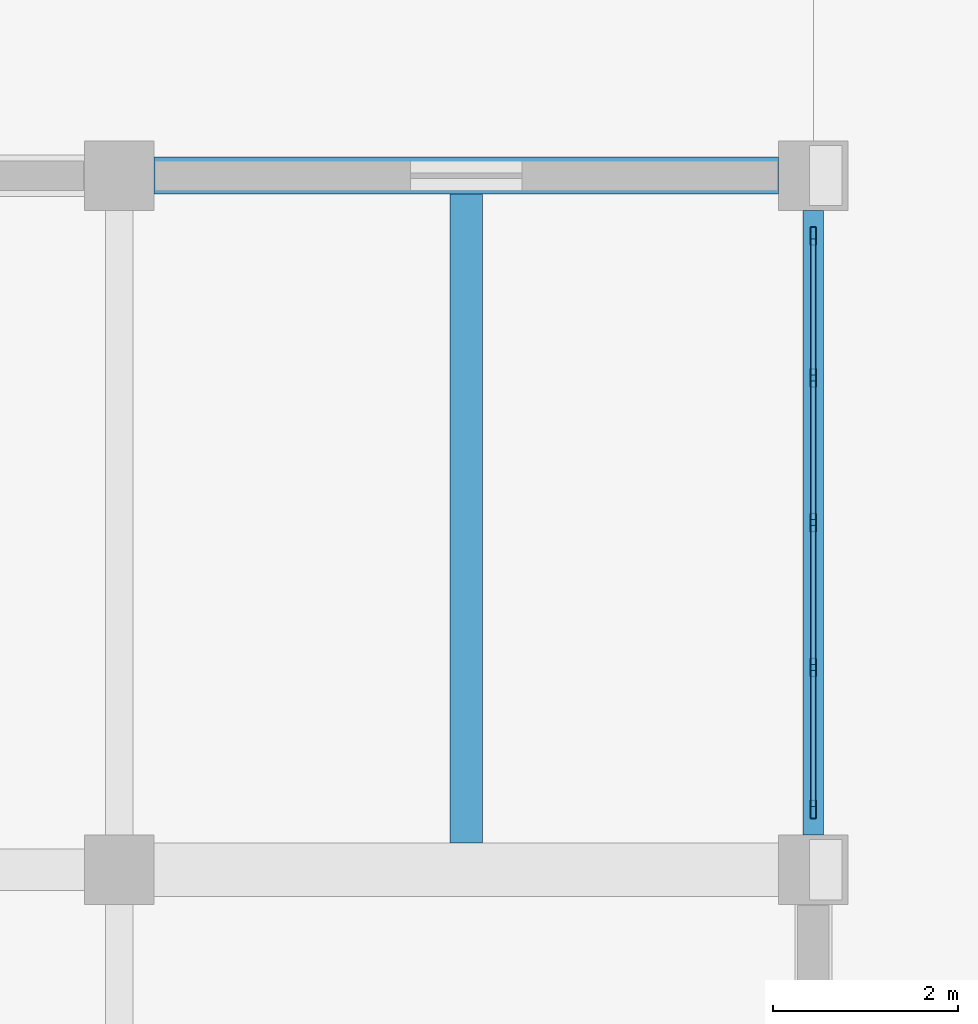
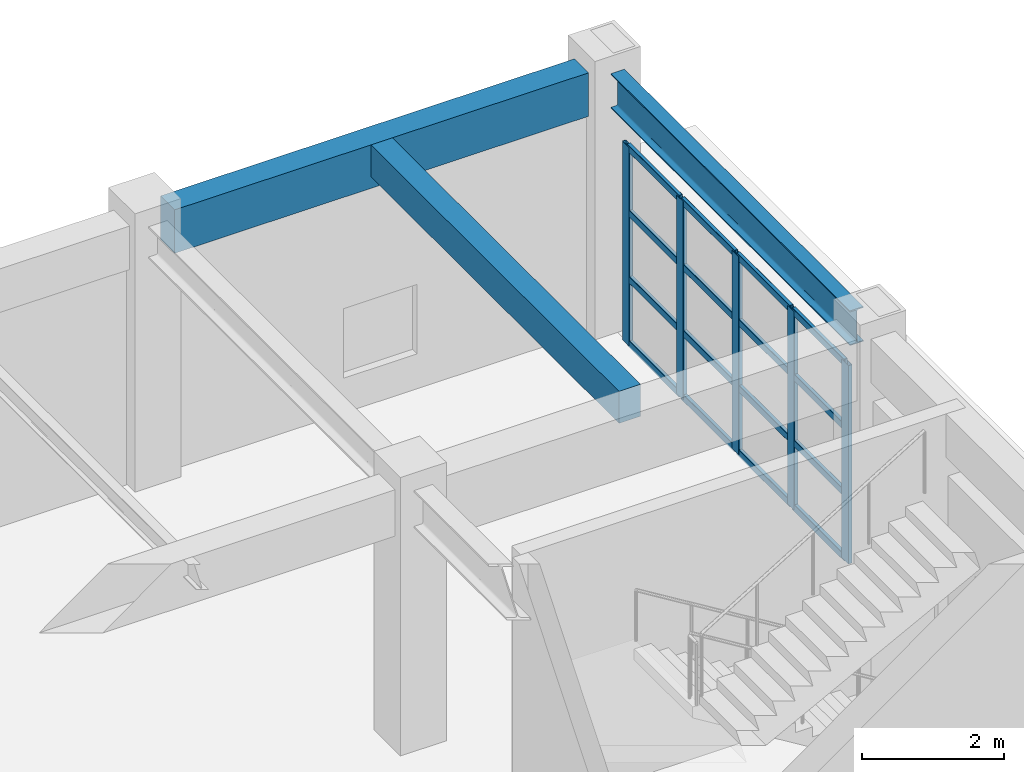
# One storey, part 70 of 122: 21 members, 3 beams, 1 element without a shape of its own.
"""IFC4 building model written with IfcOpenShell, lengths in metres."""

import ifcopenshell
import ifcopenshell.guid

model = None  # the IFC model being written
_history = None  # IfcOwnerHistory: only IFC2X3 demands one
_inside = {}  # id of a spatial element -> (the spatial element, [elements in it])
_under = {}  # id of a project, library or spatial element -> (it, [spatial elements below it])
_declared = {}  # id of a project -> (the project, [libraries it declares])
_typed = {}  # id of a type object -> (the type object, [elements of that type])
_made_of = {}  # id of a material, layer set ... -> (it, [elements and type objects made of it])


def new_model(schema):
    """Start an empty IFC model of exactly this schema.

    Asked for "IFC4X3", IfcOpenShell would pick the latest addendum, in which some entities
    have other attributes; the version numbers below select the first issue.
    IFC2X3 requires an IfcOwnerHistory on every rooted entity: one is made here for all.
    """
    global model, _history
    if schema == "IFC4X3":
        model = ifcopenshell.file(schema_version=(4, 3, 0, 0))
    else:
        model = ifcopenshell.file(schema=schema)
    _inside.clear()
    _under.clear()
    _declared.clear()
    _typed.clear()
    _made_of.clear()
    _history = None
    if model.schema == "IFC2X3":
        org = make("IfcOrganization", Name="unknown")
        user = make(
            "IfcPersonAndOrganization",
            ThePerson=make("IfcPerson", FamilyName="unknown"),
            TheOrganization=org,
        )
        app = make(
            "IfcApplication",
            ApplicationDeveloper=org,
            Version="unknown",
            ApplicationFullName="unknown",
            ApplicationIdentifier="unknown",
        )
        _history = make(
            "IfcOwnerHistory",
            OwningUser=user,
            OwningApplication=app,
            ChangeAction="ADDED",
            CreationDate=0,
        )
    return model


def make(cls, **values):
    """One entity of the class cls with the attributes given. An attribute that is None is left unset."""
    return model.create_entity(
        cls, **{name: value for name, value in values.items() if value is not None}
    )


def rooted(cls, **values):
    """An entity with a GlobalId (a new one), such as an element, a storey or a relation."""
    return make(cls, GlobalId=ifcopenshell.guid.new(), OwnerHistory=_history, **values)


def si_unit(unit_type, name, prefix=None):
    """IfcSIUnit, for example si_unit("LENGTHUNIT", "METRE", prefix="MILLI")."""
    return make("IfcSIUnit", UnitType=unit_type, Prefix=prefix, Name=name)


def assignment(units):
    """IfcUnitAssignment: the units of a project."""
    return None if units is None else make("IfcUnitAssignment", Units=units)


def point(xyz):
    """IfcCartesianPoint."""
    return None if xyz is None else make("IfcCartesianPoint", Coordinates=xyz)


def direction(xyz):
    """IfcDirection."""
    return None if xyz is None else make("IfcDirection", DirectionRatios=xyz)


def frame(location, z_axis=None, x_axis=None):
    """IfcAxis2Placement3D, a coordinate frame: its origin and axes. An axis left out is left unset."""
    return make(
        "IfcAxis2Placement3D",
        Location=point(location),
        Axis=direction(z_axis),
        RefDirection=direction(x_axis),
    )


def frame_2d(location, x_axis=None):
    """IfcAxis2Placement2D, a coordinate frame in the plane: its origin and x axis."""
    return make(
        "IfcAxis2Placement2D", Location=point(location), RefDirection=direction(x_axis)
    )


def origin():
    """The frame at (0, 0, 0) with its axes left unset."""
    return frame((0.0, 0.0, 0.0))


def origin_2d():
    """The frame at (0, 0) in the plane with its x axis left unset."""
    return frame_2d((0.0, 0.0))


def place(relative_to, where):
    """IfcLocalPlacement: puts the frame where relative to a parent placement (None: the world)."""
    return make(
        "IfcLocalPlacement", PlacementRelTo=relative_to, RelativePlacement=where
    )


def context(
    kind, dimensions, precision=None, world=None, true_north=None, identifier=None
):
    """IfcGeometricRepresentationContext, for example the 3D "Model" context."""
    return make(
        "IfcGeometricRepresentationContext",
        ContextIdentifier=identifier,
        ContextType=kind,
        CoordinateSpaceDimension=dimensions,
        Precision=precision,
        WorldCoordinateSystem=world,
        TrueNorth=true_north,
    )


def subcontext(parent, identifier, kind, view, scale=None):
    """IfcGeometricRepresentationSubContext, for example "Body" below "Model"."""
    return make(
        "IfcGeometricRepresentationSubContext",
        ContextIdentifier=identifier,
        ContextType=kind,
        ParentContext=parent,
        TargetScale=scale,
        TargetView=view,
    )


def project(units=None, contexts=None):
    """IfcProject with its units and contexts."""
    return rooted(
        "IfcProject",
        Name="project",
        RepresentationContexts=contexts,
        UnitsInContext=assignment(units),
    )


def spatial(cls, under=None, at=None, **own):
    """A site, building, storey or space (cls), placed at a placement, below another one or the project."""
    s = rooted(cls, ObjectPlacement=at, **own)
    if under is not None:
        _under.setdefault(under.id(), (under, []))[1].append(s)
    return s


def profile(cls, at=None, kind="AREA", **sizes):
    """A parametric profile (cls). Its sizes go by their IFC names, for example OverallWidth=200.0."""
    return make(cls, ProfileType=kind, Position=at, **sizes)


def rectangle(**sizes):
    """IfcRectangleProfileDef."""
    return profile("IfcRectangleProfileDef", **sizes)


def hollow_rectangle(**sizes):
    """IfcRectangleHollowProfileDef."""
    return profile("IfcRectangleHollowProfileDef", **sizes)


def i_section(**sizes):
    """IfcIShapeProfileDef."""
    return profile("IfcIShapeProfileDef", **sizes)


def extrude(swept, where, along, depth):
    """IfcExtrudedAreaSolid: the profile swept, set in the frame where, extruded along a direction by depth."""
    return make(
        "IfcExtrudedAreaSolid",
        SweptArea=swept,
        Position=where,
        ExtrudedDirection=direction(along),
        Depth=depth,
    )


def shape(context_of_items, identifier, shape_type, items):
    """IfcShapeRepresentation: the items that make up one representation, for example the "Body"."""
    return make(
        "IfcShapeRepresentation",
        ContextOfItems=context_of_items,
        RepresentationIdentifier=identifier,
        RepresentationType=shape_type,
        Items=items,
    )


def material(Name=None, Category=None):
    """IfcMaterial."""
    return make("IfcMaterial", Name=Name, Category=Category)


def material_profile(
    of_material, cross_section, Name=None, Category=None, Priority=None
):
    """IfcMaterialProfile: a cross section and its material."""
    return make(
        "IfcMaterialProfile",
        Name=Name,
        Material=of_material,
        Profile=cross_section,
        Priority=Priority,
        Category=Category,
    )


def profile_set(profiles, Name=None, composite=None):
    """IfcMaterialProfileSet."""
    return make(
        "IfcMaterialProfileSet",
        Name=Name,
        MaterialProfiles=profiles,
        CompositeProfile=composite,
    )


def made_of(thing, what):
    """Note that an element or type object is made of a material, layer set ...; save() writes the relation."""
    if what is not None:
        _made_of.setdefault(what.id(), (what, []))[1].append(thing)
    return thing


def type_object(cls, material=None, **own):
    """A type object (cls), such as IfcWallType, which elements share."""
    return made_of(rooted(cls, **own), material)


def element(
    cls,
    number,
    at=None,
    inside=None,
    cuts=None,
    type_object=None,
    material=None,
    context=None,
    identifier="Body",
    shape_type=None,
    held_by="IfcProductDefinitionShape",
    body=None,
    shapes=None,
    **own,
):
    """One element of the class cls, such as IfcWall. Its Tag is "e" and its number.

    at: its placement. inside: the storey or other place that contains it. cuts: it is an
    opening in that element (IfcRelVoidsElement). A single representation is given by context,
    identifier, shape_type and body (its items); several are given by shapes. held_by: the class
    of the entity that holds the representations. save() writes the other relations.
    """
    e = rooted(cls, Tag="e%d" % number, ObjectPlacement=at, **own)
    if body is not None:
        shapes = [shape(context, identifier, shape_type, body)]
    if shapes is not None:
        e.Representation = make(held_by, Representations=shapes)
    if inside is not None:
        _inside.setdefault(inside.id(), (inside, []))[1].append(e)
    if cuts is not None:
        rooted(
            "IfcRelVoidsElement", RelatingBuildingElement=cuts, RelatedOpeningElement=e
        )
    if type_object is not None:
        _typed.setdefault(type_object.id(), (type_object, []))[1].append(e)
    return made_of(e, material)


def aggregate(whole, parts):
    """IfcRelAggregates: a whole, such as a stair, and the parts it consists of."""
    return rooted("IfcRelAggregates", RelatingObject=whole, RelatedObjects=parts)


def save(model, path):
    """Write the relations noted so far, then the file.

    IfcRelAggregates (storeys below a building ...), IfcRelContainedInSpatialStructure (elements
    in a storey), IfcRelDefinesByType, IfcRelAssociatesMaterial and IfcRelDeclares: one each for
    every whole, place, type object, material and project.
    """
    for whole, parts in _under.values():
        aggregate(whole, parts)
    for where, things in _inside.values():
        rooted(
            "IfcRelContainedInSpatialStructure",
            RelatedElements=things,
            RelatingStructure=where,
        )
    for kind, things in _typed.values():
        rooted("IfcRelDefinesByType", RelatedObjects=things, RelatingType=kind)
    for what, things in _made_of.values():
        rooted("IfcRelAssociatesMaterial", RelatedObjects=things, RelatingMaterial=what)
    for by, libraries in _declared.values():
        rooted("IfcRelDeclares", RelatingContext=by, RelatedDefinitions=libraries)
    model.write(path)


model = new_model("IFC4")

# Units and contexts
model_context = context("Model", 3, precision=1e-05, world=origin(), true_north=direction((0.0, 1.0)))
body_context = subcontext(model_context, "Body", "Model", "MODEL_VIEW")
ifc_project = project(units=[si_unit("LENGTHUNIT", "METRE"), si_unit("AREAUNIT", "SQUARE_METRE"), si_unit("VOLUMEUNIT", "CUBIC_METRE"), si_unit("PLANEANGLEUNIT", "RADIAN"), si_unit("MASSUNIT", "GRAM", prefix="KILO")], contexts=[model_context])

# Site, building, storey
site_placement = place(None, origin())
site = spatial("IfcSite", under=ifc_project, at=site_placement, CompositionType="ELEMENT")
building_placement = place(site_placement, origin())
building = spatial("IfcBuilding", under=site, at=building_placement, Name="Qasida Concert Hall", CompositionType="ELEMENT")
storey_placement = place(building_placement, origin())
storey = spatial("IfcBuildingStorey", under=building, at=storey_placement, Name="L00", CompositionType="ELEMENT", Elevation=0.0)

# Beams
ifc_material_1 = material(Name="Concrete C40/50", Category="concrete")
ifc_material_profile_1 = material_profile(ifc_material_1, rectangle(XDim=0.35009765625, YDim=0.550048828125, at=origin_2d()), Name="RC 350x550")
ifc_profile_set_1 = profile_set([ifc_material_profile_1], Name="Concrete C40/50")
beam_type_1 = type_object("IfcBeamType", Name="BM-J8", PredefinedType="JOIST", material=ifc_profile_set_1)
beam_1_placement = place(storey_placement, frame((161.25, 105.2900390625, 4.22509765625), z_axis=(0.0, 1.0, 0.0), x_axis=(-1.0, 0.0, 0.0)))
element("IfcBeam", 1, at=beam_1_placement, inside=storey, type_object=beam_type_1, Name="L00 secondary joist 0687", PredefinedType="JOIST", context=body_context, shape_type="SweptSolid", body=[
    extrude(rectangle(XDim=0.35009765625, YDim=0.550048828125, at=origin_2d()), origin(), (0.0, 0.0, 1.0), 7.010009765625),
])
ifc_material_profile_2 = material_profile(ifc_material_1, rectangle(XDim=0.39990234375, YDim=0.75, at=origin_2d()), Name="RC 400x750")
ifc_profile_set_2 = profile_set([ifc_material_profile_2], Name="Concrete C40/50")
beam_type_2 = type_object("IfcBeamType", Name="BM-SP1", PredefinedType="SPANDREL", material=ifc_profile_set_2)
beam_2_placement = place(storey_placement, frame((157.875, 112.5, 4.125), z_axis=(1.0, 0.0, 0.0), x_axis=(0.0, 1.0, 0.0)))
element("IfcBeam", 2, at=beam_2_placement, inside=storey, type_object=beam_type_2, Name="Primary girder 0624", PredefinedType="SPANDREL", context=body_context, shape_type="SweptSolid", body=[
    extrude(rectangle(XDim=0.39990234375, YDim=0.75, at=origin_2d()), origin(), (0.0, 0.0, 1.0), 6.75),
])
ifc_material_2 = material(Name="Steel S355J2", Category="steel")
ifc_material_profile_3 = material_profile(ifc_material_2, i_section(OverallWidth=0.219970703125, OverallDepth=0.60009765625, WebThickness=0.011962890625, FlangeThickness=0.01904296875, FilletRadius=0.02392578125, at=origin_2d()), Name="IPE 600")
ifc_profile_set_3 = profile_set([ifc_material_profile_3], Name="Steel S355J2")
beam_type_3 = type_object("IfcBeamType", Name="BM-SP3", PredefinedType="SPANDREL", material=ifc_profile_set_3)
beam_3_placement = place(storey_placement, frame((165.0, 105.375, 4.199951171875), z_axis=(0.0, 1.0, 0.0), x_axis=(-1.0, 0.0, 0.0)))
element("IfcBeam", 3, at=beam_3_placement, inside=storey, type_object=beam_type_3, Name="L00 girder 0659", PredefinedType="SPANDREL", context=body_context, shape_type="SweptSolid", body=[
    extrude(i_section(OverallWidth=0.219970703125, OverallDepth=0.60009765625, WebThickness=0.011962890625, FlangeThickness=0.01904296875, FilletRadius=0.02392578125, at=origin_2d()), origin(), (0.0, 0.0, 1.0), 6.75),
])

# Curtain wall, members
ifc_material_3 = material(Name="Architectural bronze-anodized aluminium and low-E glass", Category="aluminium")
curtain_wall_type = type_object("IfcCurtainWallType", Name="CW-11", PredefinedType="NOTDEFINED", material=ifc_material_3)
curtain_wall_placement = place(storey_placement, origin())
curtain_wall = element("IfcCurtainWall", 4, at=curtain_wall_placement, inside=storey, type_object=curtain_wall_type, Name="L00 curtain wall CW-11 0159", PredefinedType="NOTDEFINED")
ifc_material_4 = material(Name="Architectural bronze-anodized aluminium EN AW-6063", Category="aluminium")
ifc_material_profile_4 = material_profile(ifc_material_4, hollow_rectangle(XDim=0.06494140625, YDim=0.199951171875, WallThickness=0.0048828125, InnerFilletRadius=0.0048828125, OuterFilletRadius=0.010009765625, at=origin_2d()), Name="CWM 200x65x5")
ifc_profile_set_4 = profile_set([ifc_material_profile_4], Name="Architectural bronze-anodized aluminium EN AW-6063")
member_type_1 = type_object("IfcMemberType", Name="MB-CWM-2", PredefinedType="MULLION", material=ifc_profile_set_4)
member_1_placement = place(storey_placement, frame((165.0, 105.652587890625, 0.0), z_axis=(0.0, 0.0, 1.0), x_axis=(-1.0, 0.0, 0.0)))
member_1 = element("IfcMember", 5, at=member_1_placement, type_object=member_type_1, Name="CW-11 mullion 1", PredefinedType="MULLION", context=body_context, shape_type="SweptSolid", body=[
    extrude(hollow_rectangle(XDim=0.06494140625, YDim=0.199951171875, WallThickness=0.0048828125, InnerFilletRadius=0.0048828125, OuterFilletRadius=0.010009765625, at=origin_2d()), origin(), (0.0, 0.0, 1.0), 3.419921875),
])
member_2_placement = place(storey_placement, frame((165.0, 107.18505859375, 0.0), z_axis=(0.0, 0.0, 1.0), x_axis=(-1.0, 0.0, 0.0)))
member_2 = element("IfcMember", 6, at=member_2_placement, type_object=member_type_1, Name="CW-11 mullion 2", PredefinedType="MULLION", context=body_context, shape_type="SweptSolid", body=[
    extrude(hollow_rectangle(XDim=0.06494140625, YDim=0.199951171875, WallThickness=0.0048828125, InnerFilletRadius=0.0048828125, OuterFilletRadius=0.010009765625, at=origin_2d()), origin(), (0.0, 0.0, 1.0), 3.419921875),
])
member_3_placement = place(storey_placement, frame((165.0, 108.75, 0.0), z_axis=(0.0, 0.0, 1.0), x_axis=(-1.0, 0.0, 0.0)))
member_3 = element("IfcMember", 7, at=member_3_placement, type_object=member_type_1, Name="CW-11 mullion 3", PredefinedType="MULLION", context=body_context, shape_type="SweptSolid", body=[
    extrude(hollow_rectangle(XDim=0.06494140625, YDim=0.199951171875, WallThickness=0.0048828125, InnerFilletRadius=0.0048828125, OuterFilletRadius=0.010009765625, at=origin_2d()), origin(), (0.0, 0.0, 1.0), 3.419921875),
])
member_4_placement = place(storey_placement, frame((165.0, 110.31494140625, 0.0), z_axis=(0.0, 0.0, 1.0), x_axis=(-1.0, 0.0, 0.0)))
member_4 = element("IfcMember", 8, at=member_4_placement, type_object=member_type_1, Name="CW-11 mullion 4", PredefinedType="MULLION", context=body_context, shape_type="SweptSolid", body=[
    extrude(hollow_rectangle(XDim=0.06494140625, YDim=0.199951171875, WallThickness=0.0048828125, InnerFilletRadius=0.0048828125, OuterFilletRadius=0.010009765625, at=origin_2d()), origin(), (0.0, 0.0, 1.0), 3.419921875),
])
member_5_placement = place(storey_placement, frame((165.0, 111.847412109375, 0.0), z_axis=(0.0, 0.0, 1.0), x_axis=(-1.0, 0.0, 0.0)))
member_5 = element("IfcMember", 9, at=member_5_placement, type_object=member_type_1, Name="CW-11 mullion 5", PredefinedType="MULLION", context=body_context, shape_type="SweptSolid", body=[
    extrude(hollow_rectangle(XDim=0.06494140625, YDim=0.199951171875, WallThickness=0.0048828125, InnerFilletRadius=0.0048828125, OuterFilletRadius=0.010009765625, at=origin_2d()), origin(), (0.0, 0.0, 1.0), 3.419921875),
])
ifc_material_profile_5 = material_profile(ifc_material_4, hollow_rectangle(XDim=0.06005859375, YDim=0.1201171875, WallThickness=0.00390625, InnerFilletRadius=0.00390625, OuterFilletRadius=0.008056640625, at=origin_2d()), Name="CWT 120x60x4")
ifc_profile_set_5 = profile_set([ifc_material_profile_5], Name="Architectural bronze-anodized aluminium EN AW-6063")
member_type_2 = type_object("IfcMemberType", Name="MB-CWT-2", PredefinedType="USERDEFINED", material=ifc_profile_set_5)
member_6_placement = place(storey_placement, frame((165.0, 105.68505859375, 0.030029296875), z_axis=(0.0, 1.0, 0.0), x_axis=(-1.0, 0.0, 0.0)))
member_6 = element("IfcMember", 10, at=member_6_placement, type_object=member_type_2, Name="CW-11 transom 1.1", ObjectType="TRANSOM", PredefinedType="USERDEFINED", context=body_context, shape_type="SweptSolid", body=[
    extrude(hollow_rectangle(XDim=0.06005859375, YDim=0.1201171875, WallThickness=0.00390625, InnerFilletRadius=0.00390625, OuterFilletRadius=0.008056640625, at=origin_2d()), origin(), (0.0, 0.0, 1.0), 1.467529296875),
])
member_7_placement = place(storey_placement, frame((165.0, 105.68505859375, 1.139892578125), z_axis=(0.0, 1.0, 0.0), x_axis=(-1.0, 0.0, 0.0)))
member_7 = element("IfcMember", 11, at=member_7_placement, type_object=member_type_2, Name="CW-11 transom 1.2", ObjectType="TRANSOM", PredefinedType="USERDEFINED", context=body_context, shape_type="SweptSolid", body=[
    extrude(hollow_rectangle(XDim=0.06005859375, YDim=0.1201171875, WallThickness=0.00390625, InnerFilletRadius=0.00390625, OuterFilletRadius=0.008056640625, at=origin_2d()), origin(), (0.0, 0.0, 1.0), 1.467529296875),
])
member_8_placement = place(storey_placement, frame((165.0, 105.68505859375, 2.280029296875), z_axis=(0.0, 1.0, 0.0), x_axis=(-1.0, 0.0, 0.0)))
member_8 = element("IfcMember", 12, at=member_8_placement, type_object=member_type_2, Name="CW-11 transom 1.3", ObjectType="TRANSOM", PredefinedType="USERDEFINED", context=body_context, shape_type="SweptSolid", body=[
    extrude(hollow_rectangle(XDim=0.06005859375, YDim=0.1201171875, WallThickness=0.00390625, InnerFilletRadius=0.00390625, OuterFilletRadius=0.008056640625, at=origin_2d()), origin(), (0.0, 0.0, 1.0), 1.467529296875),
])
member_9_placement = place(storey_placement, frame((165.0, 105.68505859375, 3.389892578125), z_axis=(0.0, 1.0, 0.0), x_axis=(-1.0, 0.0, 0.0)))
member_9 = element("IfcMember", 13, at=member_9_placement, type_object=member_type_2, Name="CW-11 transom 1.4", ObjectType="TRANSOM", PredefinedType="USERDEFINED", context=body_context, shape_type="SweptSolid", body=[
    extrude(hollow_rectangle(XDim=0.06005859375, YDim=0.1201171875, WallThickness=0.00390625, InnerFilletRadius=0.00390625, OuterFilletRadius=0.008056640625, at=origin_2d()), origin(), (0.0, 0.0, 1.0), 1.467529296875),
])
member_10_placement = place(storey_placement, frame((165.0, 107.217529296875, 0.030029296875), z_axis=(0.0, 1.0, 0.0), x_axis=(-1.0, 0.0, 0.0)))
member_10 = element("IfcMember", 14, at=member_10_placement, type_object=member_type_2, Name="CW-11 transom 2.1", ObjectType="TRANSOM", PredefinedType="USERDEFINED", context=body_context, shape_type="SweptSolid", body=[
    extrude(hollow_rectangle(XDim=0.06005859375, YDim=0.1201171875, WallThickness=0.00390625, InnerFilletRadius=0.00390625, OuterFilletRadius=0.008056640625, at=origin_2d()), origin(), (0.0, 0.0, 1.0), 1.5),
])
member_11_placement = place(storey_placement, frame((165.0, 107.217529296875, 1.139892578125), z_axis=(0.0, 1.0, 0.0), x_axis=(-1.0, 0.0, 0.0)))
member_11 = element("IfcMember", 15, at=member_11_placement, type_object=member_type_2, Name="CW-11 transom 2.2", ObjectType="TRANSOM", PredefinedType="USERDEFINED", context=body_context, shape_type="SweptSolid", body=[
    extrude(hollow_rectangle(XDim=0.06005859375, YDim=0.1201171875, WallThickness=0.00390625, InnerFilletRadius=0.00390625, OuterFilletRadius=0.008056640625, at=origin_2d()), origin(), (0.0, 0.0, 1.0), 1.5),
])
member_12_placement = place(storey_placement, frame((165.0, 107.217529296875, 2.280029296875), z_axis=(0.0, 1.0, 0.0), x_axis=(-1.0, 0.0, 0.0)))
member_12 = element("IfcMember", 16, at=member_12_placement, type_object=member_type_2, Name="CW-11 transom 2.3", ObjectType="TRANSOM", PredefinedType="USERDEFINED", context=body_context, shape_type="SweptSolid", body=[
    extrude(hollow_rectangle(XDim=0.06005859375, YDim=0.1201171875, WallThickness=0.00390625, InnerFilletRadius=0.00390625, OuterFilletRadius=0.008056640625, at=origin_2d()), origin(), (0.0, 0.0, 1.0), 1.5),
])
member_13_placement = place(storey_placement, frame((165.0, 107.217529296875, 3.389892578125), z_axis=(0.0, 1.0, 0.0), x_axis=(-1.0, 0.0, 0.0)))
member_13 = element("IfcMember", 17, at=member_13_placement, type_object=member_type_2, Name="CW-11 transom 2.4", ObjectType="TRANSOM", PredefinedType="USERDEFINED", context=body_context, shape_type="SweptSolid", body=[
    extrude(hollow_rectangle(XDim=0.06005859375, YDim=0.1201171875, WallThickness=0.00390625, InnerFilletRadius=0.00390625, OuterFilletRadius=0.008056640625, at=origin_2d()), origin(), (0.0, 0.0, 1.0), 1.5),
])
member_14_placement = place(storey_placement, frame((165.0, 108.782470703125, 0.030029296875), z_axis=(0.0, 1.0, 0.0), x_axis=(-1.0, 0.0, 0.0)))
member_14 = element("IfcMember", 18, at=member_14_placement, type_object=member_type_2, Name="CW-11 transom 3.1", ObjectType="TRANSOM", PredefinedType="USERDEFINED", context=body_context, shape_type="SweptSolid", body=[
    extrude(hollow_rectangle(XDim=0.06005859375, YDim=0.1201171875, WallThickness=0.00390625, InnerFilletRadius=0.00390625, OuterFilletRadius=0.008056640625, at=origin_2d()), origin(), (0.0, 0.0, 1.0), 1.5),
])
member_15_placement = place(storey_placement, frame((165.0, 108.782470703125, 1.139892578125), z_axis=(0.0, 1.0, 0.0), x_axis=(-1.0, 0.0, 0.0)))
member_15 = element("IfcMember", 19, at=member_15_placement, type_object=member_type_2, Name="CW-11 transom 3.2", ObjectType="TRANSOM", PredefinedType="USERDEFINED", context=body_context, shape_type="SweptSolid", body=[
    extrude(hollow_rectangle(XDim=0.06005859375, YDim=0.1201171875, WallThickness=0.00390625, InnerFilletRadius=0.00390625, OuterFilletRadius=0.008056640625, at=origin_2d()), origin(), (0.0, 0.0, 1.0), 1.5),
])
member_16_placement = place(storey_placement, frame((165.0, 108.782470703125, 2.280029296875), z_axis=(0.0, 1.0, 0.0), x_axis=(-1.0, 0.0, 0.0)))
member_16 = element("IfcMember", 20, at=member_16_placement, type_object=member_type_2, Name="CW-11 transom 3.3", ObjectType="TRANSOM", PredefinedType="USERDEFINED", context=body_context, shape_type="SweptSolid", body=[
    extrude(hollow_rectangle(XDim=0.06005859375, YDim=0.1201171875, WallThickness=0.00390625, InnerFilletRadius=0.00390625, OuterFilletRadius=0.008056640625, at=origin_2d()), origin(), (0.0, 0.0, 1.0), 1.5),
])
member_17_placement = place(storey_placement, frame((165.0, 108.782470703125, 3.389892578125), z_axis=(0.0, 1.0, 0.0), x_axis=(-1.0, 0.0, 0.0)))
member_17 = element("IfcMember", 21, at=member_17_placement, type_object=member_type_2, Name="CW-11 transom 3.4", ObjectType="TRANSOM", PredefinedType="USERDEFINED", context=body_context, shape_type="SweptSolid", body=[
    extrude(hollow_rectangle(XDim=0.06005859375, YDim=0.1201171875, WallThickness=0.00390625, InnerFilletRadius=0.00390625, OuterFilletRadius=0.008056640625, at=origin_2d()), origin(), (0.0, 0.0, 1.0), 1.5),
])
member_18_placement = place(storey_placement, frame((165.0, 110.347412109375, 0.030029296875), z_axis=(0.0, 1.0, 0.0), x_axis=(-1.0, 0.0, 0.0)))
member_18 = element("IfcMember", 22, at=member_18_placement, type_object=member_type_2, Name="CW-11 transom 4.1", ObjectType="TRANSOM", PredefinedType="USERDEFINED", context=body_context, shape_type="SweptSolid", body=[
    extrude(hollow_rectangle(XDim=0.06005859375, YDim=0.1201171875, WallThickness=0.00390625, InnerFilletRadius=0.00390625, OuterFilletRadius=0.008056640625, at=origin_2d()), origin(), (0.0, 0.0, 1.0), 1.467529296875),
])
member_19_placement = place(storey_placement, frame((165.0, 110.347412109375, 1.139892578125), z_axis=(0.0, 1.0, 0.0), x_axis=(-1.0, 0.0, 0.0)))
member_19 = element("IfcMember", 23, at=member_19_placement, type_object=member_type_2, Name="CW-11 transom 4.2", ObjectType="TRANSOM", PredefinedType="USERDEFINED", context=body_context, shape_type="SweptSolid", body=[
    extrude(hollow_rectangle(XDim=0.06005859375, YDim=0.1201171875, WallThickness=0.00390625, InnerFilletRadius=0.00390625, OuterFilletRadius=0.008056640625, at=origin_2d()), origin(), (0.0, 0.0, 1.0), 1.467529296875),
])
member_20_placement = place(storey_placement, frame((165.0, 110.347412109375, 2.280029296875), z_axis=(0.0, 1.0, 0.0), x_axis=(-1.0, 0.0, 0.0)))
member_20 = element("IfcMember", 24, at=member_20_placement, type_object=member_type_2, Name="CW-11 transom 4.3", ObjectType="TRANSOM", PredefinedType="USERDEFINED", context=body_context, shape_type="SweptSolid", body=[
    extrude(hollow_rectangle(XDim=0.06005859375, YDim=0.1201171875, WallThickness=0.00390625, InnerFilletRadius=0.00390625, OuterFilletRadius=0.008056640625, at=origin_2d()), origin(), (0.0, 0.0, 1.0), 1.467529296875),
])
member_21_placement = place(storey_placement, frame((165.0, 110.347412109375, 3.389892578125), z_axis=(0.0, 1.0, 0.0), x_axis=(-1.0, 0.0, 0.0)))
member_21 = element("IfcMember", 25, at=member_21_placement, type_object=member_type_2, Name="CW-11 transom 4.4", ObjectType="TRANSOM", PredefinedType="USERDEFINED", context=body_context, shape_type="SweptSolid", body=[
    extrude(hollow_rectangle(XDim=0.06005859375, YDim=0.1201171875, WallThickness=0.00390625, InnerFilletRadius=0.00390625, OuterFilletRadius=0.008056640625, at=origin_2d()), origin(), (0.0, 0.0, 1.0), 1.467529296875),
])
aggregate(curtain_wall, [member_1, member_2, member_3, member_4, member_5, member_6, member_7, member_8, member_9, member_10, member_11, member_12, member_13, member_14, member_15, member_16, member_17, member_18, member_19, member_20, member_21])

save(model, "model.ifc")
